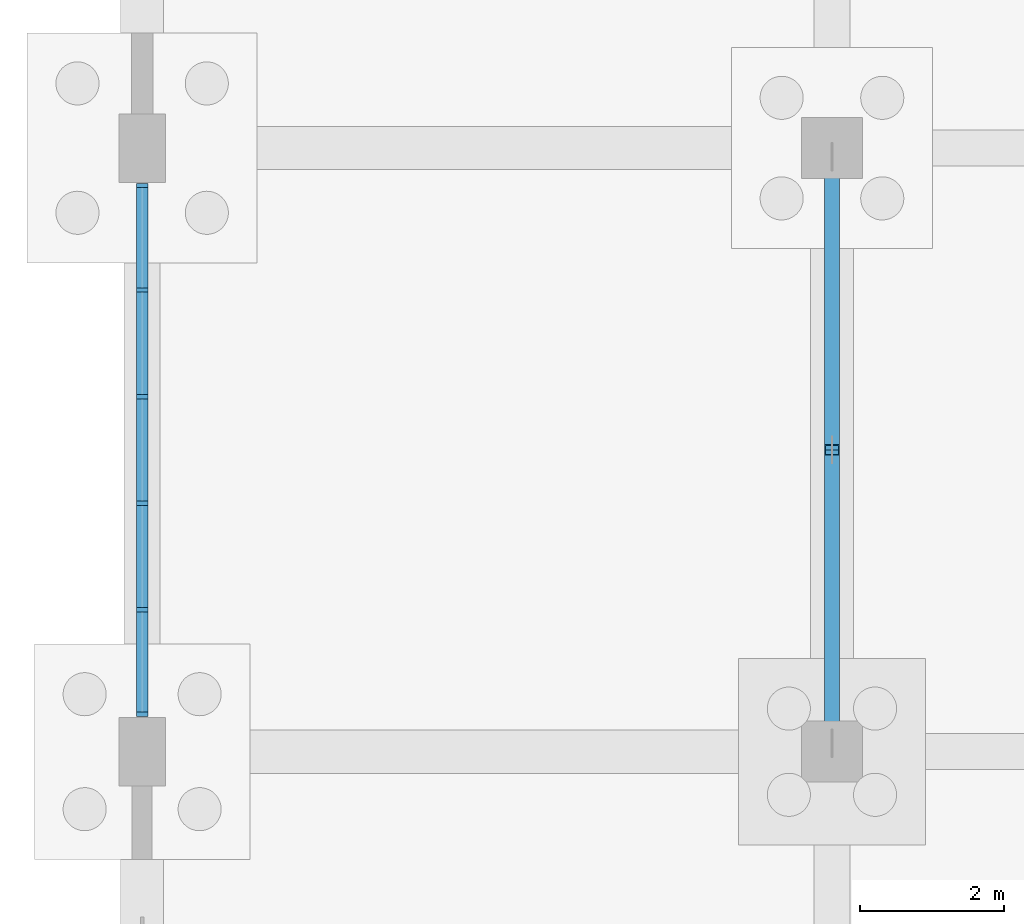
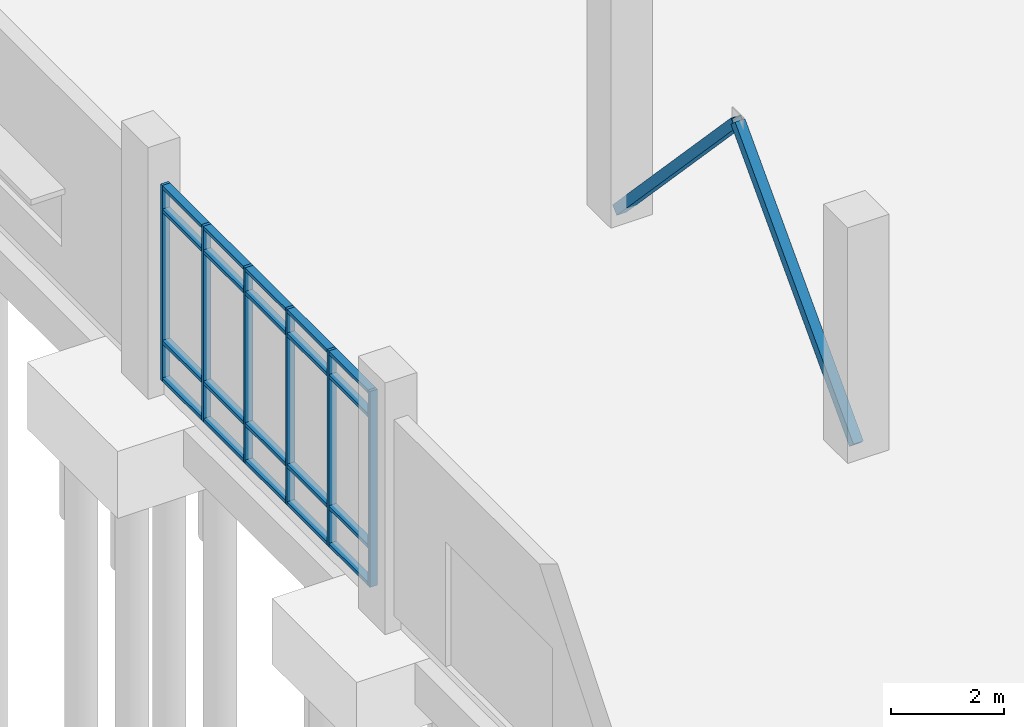
# One storey, part 40 of 136: 28 members, 1 element without a shape of its own.
"""IFC4 building model written with IfcOpenShell, lengths in metres."""

from ifc_helpers import new_model, si_unit, direction, frame, origin, origin_2d, place, context, subcontext, project, spatial, rectangle, hollow_rectangle, extrude, material, material_profile, profile_set, type_object, element, aggregate, save


model = new_model("IFC4")

# Units and contexts
model_context = context("Model", 3, precision=1e-05, world=origin(), true_north=direction((0.0, 1.0)))
body_context = subcontext(model_context, "Body", "Model", "MODEL_VIEW")
ifc_project = project(units=[si_unit("LENGTHUNIT", "METRE"), si_unit("AREAUNIT", "SQUARE_METRE"), si_unit("VOLUMEUNIT", "CUBIC_METRE"), si_unit("PLANEANGLEUNIT", "RADIAN"), si_unit("MASSUNIT", "GRAM", prefix="KILO")], contexts=[model_context])

# Site, building, storey
site_placement = place(None, origin())
site = spatial("IfcSite", under=ifc_project, at=site_placement, CompositionType="ELEMENT")
building_placement = place(site_placement, origin())
building = spatial("IfcBuilding", under=site, at=building_placement, Name="Oolite Switchyard Hospital", CompositionType="ELEMENT")
storey_placement = place(building_placement, origin())
storey = spatial("IfcBuildingStorey", under=building, at=storey_placement, Name="L00", CompositionType="ELEMENT", Elevation=0.0)

# Curtain wall, members
ifc_material_1 = material(Name="Thermally broken aluminum frame with laminated impact glazing", Category="aluminium")
curtain_wall_type = type_object("IfcCurtainWallType", Name="CW-UNIT-84X51", PredefinedType="USERDEFINED", material=ifc_material_1)
curtain_wall_placement = place(storey_placement, origin())
curtain_wall = element("IfcCurtainWall", 1, at=curtain_wall_placement, inside=storey, type_object=curtain_wall_type, Name="L00 Unitised Curtain Wall 57", ObjectType="UNITISED", PredefinedType="USERDEFINED")
ifc_material_2 = material(Name="Aluminium 6063-T6", Category="aluminium")
ifc_material_profile_1 = material_profile(ifc_material_2, rectangle(XDim=0.159912109375, YDim=0.06005859375, at=origin_2d()), Name="CWM60X160")
ifc_profile_set_1 = profile_set([ifc_material_profile_1], Name="Aluminium 6063-T6")
member_type_1 = type_object("IfcMemberType", Name="CW-MUL-180", PredefinedType="MULLION", material=ifc_profile_set_1)
member_1_placement = place(storey_placement, frame((0.0, 101.320068359375, 0.0), z_axis=(0.0, 0.0, 1.0), x_axis=(-1.0, 0.0, 0.0)))
member_1 = element("IfcMember", 2, at=member_1_placement, type_object=member_type_1, Name="CW-06 mullion 1", PredefinedType="MULLION", context=body_context, shape_type="SweptSolid", body=[
    extrude(rectangle(XDim=0.159912109375, YDim=0.06005859375, at=origin_2d()), origin(), (0.0, 0.0, 1.0), 4.239990234375),
])
member_2_placement = place(storey_placement, frame((0.0, 102.77392578125, 0.0), z_axis=(0.0, 0.0, 1.0), x_axis=(-1.0, 0.0, 0.0)))
member_2 = element("IfcMember", 3, at=member_2_placement, type_object=member_type_1, Name="CW-06 mullion 2", PredefinedType="MULLION", context=body_context, shape_type="SweptSolid", body=[
    extrude(rectangle(XDim=0.159912109375, YDim=0.06005859375, at=origin_2d()), origin(), (0.0, 0.0, 1.0), 4.239990234375),
])
member_3_placement = place(storey_placement, frame((0.0, 104.258056640625, 0.0), z_axis=(0.0, 0.0, 1.0), x_axis=(-1.0, 0.0, 0.0)))
member_3 = element("IfcMember", 4, at=member_3_placement, type_object=member_type_1, Name="CW-06 mullion 3", PredefinedType="MULLION", context=body_context, shape_type="SweptSolid", body=[
    extrude(rectangle(XDim=0.159912109375, YDim=0.06005859375, at=origin_2d()), origin(), (0.0, 0.0, 1.0), 4.239990234375),
])
member_4_placement = place(storey_placement, frame((0.0, 105.741943359375, 0.0), z_axis=(0.0, 0.0, 1.0), x_axis=(-1.0, 0.0, 0.0)))
member_4 = element("IfcMember", 5, at=member_4_placement, type_object=member_type_1, Name="CW-06 mullion 4", PredefinedType="MULLION", context=body_context, shape_type="SweptSolid", body=[
    extrude(rectangle(XDim=0.159912109375, YDim=0.06005859375, at=origin_2d()), origin(), (0.0, 0.0, 1.0), 4.239990234375),
])
member_5_placement = place(storey_placement, frame((0.0, 107.22607421875, 0.0), z_axis=(0.0, 0.0, 1.0), x_axis=(-1.0, 0.0, 0.0)))
member_5 = element("IfcMember", 6, at=member_5_placement, type_object=member_type_1, Name="CW-06 mullion 5", PredefinedType="MULLION", context=body_context, shape_type="SweptSolid", body=[
    extrude(rectangle(XDim=0.159912109375, YDim=0.06005859375, at=origin_2d()), origin(), (0.0, 0.0, 1.0), 4.239990234375),
])
member_6_placement = place(storey_placement, frame((0.0, 108.679931640625, 0.0), z_axis=(0.0, 0.0, 1.0), x_axis=(-1.0, 0.0, 0.0)))
member_6 = element("IfcMember", 7, at=member_6_placement, type_object=member_type_1, Name="CW-06 mullion 6", PredefinedType="MULLION", context=body_context, shape_type="SweptSolid", body=[
    extrude(rectangle(XDim=0.159912109375, YDim=0.06005859375, at=origin_2d()), origin(), (0.0, 0.0, 1.0), 4.239990234375),
])
ifc_material_profile_2 = material_profile(ifc_material_2, rectangle(XDim=0.159912109375, YDim=0.074951171875, at=origin_2d()), Name="CWT75X160")
ifc_profile_set_2 = profile_set([ifc_material_profile_2], Name="Aluminium 6063-T6")
member_type_2 = type_object("IfcMemberType", Name="CW-TRN-180", PredefinedType="USERDEFINED", material=ifc_profile_set_2)
member_7_placement = place(storey_placement, frame((0.0, 101.35009765625, 0.03759765625), z_axis=(0.0, 1.0, 0.0), x_axis=(-1.0, 0.0, 0.0)))
member_7 = element("IfcMember", 8, at=member_7_placement, type_object=member_type_2, Name="CW-06 transom 1.1", ObjectType="TRANSOM", PredefinedType="USERDEFINED", context=body_context, shape_type="SweptSolid", body=[
    extrude(rectangle(XDim=0.159912109375, YDim=0.074951171875, at=origin_2d()), origin(), (0.0, 0.0, 1.0), 1.393798828125),
])
member_8_placement = place(storey_placement, frame((0.0, 101.35009765625, 0.85009765625), z_axis=(0.0, 1.0, 0.0), x_axis=(-1.0, 0.0, 0.0)))
member_8 = element("IfcMember", 9, at=member_8_placement, type_object=member_type_2, Name="CW-06 transom 1.2", ObjectType="TRANSOM", PredefinedType="USERDEFINED", context=body_context, shape_type="SweptSolid", body=[
    extrude(rectangle(XDim=0.159912109375, YDim=0.074951171875, at=origin_2d()), origin(), (0.0, 0.0, 1.0), 1.393798828125),
])
member_9_placement = place(storey_placement, frame((0.0, 101.35009765625, 3.68994140625), z_axis=(0.0, 1.0, 0.0), x_axis=(-1.0, 0.0, 0.0)))
member_9 = element("IfcMember", 10, at=member_9_placement, type_object=member_type_2, Name="CW-06 transom 1.3", ObjectType="TRANSOM", PredefinedType="USERDEFINED", context=body_context, shape_type="SweptSolid", body=[
    extrude(rectangle(XDim=0.159912109375, YDim=0.074951171875, at=origin_2d()), origin(), (0.0, 0.0, 1.0), 1.393798828125),
])
member_10_placement = place(storey_placement, frame((0.0, 101.35009765625, 4.202392578125), z_axis=(0.0, 1.0, 0.0), x_axis=(-1.0, 0.0, 0.0)))
member_10 = element("IfcMember", 11, at=member_10_placement, type_object=member_type_2, Name="CW-06 transom 1.4", ObjectType="TRANSOM", PredefinedType="USERDEFINED", context=body_context, shape_type="SweptSolid", body=[
    extrude(rectangle(XDim=0.159912109375, YDim=0.074951171875, at=origin_2d()), origin(), (0.0, 0.0, 1.0), 1.393798828125),
])
member_11_placement = place(storey_placement, frame((0.0, 102.803955078125, 0.03759765625), z_axis=(0.0, 1.0, 0.0), x_axis=(-1.0, 0.0, 0.0)))
member_11 = element("IfcMember", 12, at=member_11_placement, type_object=member_type_2, Name="CW-06 transom 2.1", ObjectType="TRANSOM", PredefinedType="USERDEFINED", context=body_context, shape_type="SweptSolid", body=[
    extrude(rectangle(XDim=0.159912109375, YDim=0.074951171875, at=origin_2d()), origin(), (0.0, 0.0, 1.0), 1.424072265625),
])
member_12_placement = place(storey_placement, frame((0.0, 102.803955078125, 0.85009765625), z_axis=(0.0, 1.0, 0.0), x_axis=(-1.0, 0.0, 0.0)))
member_12 = element("IfcMember", 13, at=member_12_placement, type_object=member_type_2, Name="CW-06 transom 2.2", ObjectType="TRANSOM", PredefinedType="USERDEFINED", context=body_context, shape_type="SweptSolid", body=[
    extrude(rectangle(XDim=0.159912109375, YDim=0.074951171875, at=origin_2d()), origin(), (0.0, 0.0, 1.0), 1.424072265625),
])
member_13_placement = place(storey_placement, frame((0.0, 102.803955078125, 3.68994140625), z_axis=(0.0, 1.0, 0.0), x_axis=(-1.0, 0.0, 0.0)))
member_13 = element("IfcMember", 14, at=member_13_placement, type_object=member_type_2, Name="CW-06 transom 2.3", ObjectType="TRANSOM", PredefinedType="USERDEFINED", context=body_context, shape_type="SweptSolid", body=[
    extrude(rectangle(XDim=0.159912109375, YDim=0.074951171875, at=origin_2d()), origin(), (0.0, 0.0, 1.0), 1.424072265625),
])
member_14_placement = place(storey_placement, frame((0.0, 102.803955078125, 4.202392578125), z_axis=(0.0, 1.0, 0.0), x_axis=(-1.0, 0.0, 0.0)))
member_14 = element("IfcMember", 15, at=member_14_placement, type_object=member_type_2, Name="CW-06 transom 2.4", ObjectType="TRANSOM", PredefinedType="USERDEFINED", context=body_context, shape_type="SweptSolid", body=[
    extrude(rectangle(XDim=0.159912109375, YDim=0.074951171875, at=origin_2d()), origin(), (0.0, 0.0, 1.0), 1.424072265625),
])
member_15_placement = place(storey_placement, frame((0.0, 104.2880859375, 0.03759765625), z_axis=(0.0, 1.0, 0.0), x_axis=(-1.0, 0.0, 0.0)))
member_15 = element("IfcMember", 16, at=member_15_placement, type_object=member_type_2, Name="CW-06 transom 3.1", ObjectType="TRANSOM", PredefinedType="USERDEFINED", context=body_context, shape_type="SweptSolid", body=[
    extrude(rectangle(XDim=0.159912109375, YDim=0.074951171875, at=origin_2d()), origin(), (0.0, 0.0, 1.0), 1.423828125),
])
member_16_placement = place(storey_placement, frame((0.0, 104.2880859375, 0.85009765625), z_axis=(0.0, 1.0, 0.0), x_axis=(-1.0, 0.0, 0.0)))
member_16 = element("IfcMember", 17, at=member_16_placement, type_object=member_type_2, Name="CW-06 transom 3.2", ObjectType="TRANSOM", PredefinedType="USERDEFINED", context=body_context, shape_type="SweptSolid", body=[
    extrude(rectangle(XDim=0.159912109375, YDim=0.074951171875, at=origin_2d()), origin(), (0.0, 0.0, 1.0), 1.423828125),
])
member_17_placement = place(storey_placement, frame((0.0, 104.2880859375, 3.68994140625), z_axis=(0.0, 1.0, 0.0), x_axis=(-1.0, 0.0, 0.0)))
member_17 = element("IfcMember", 18, at=member_17_placement, type_object=member_type_2, Name="CW-06 transom 3.3", ObjectType="TRANSOM", PredefinedType="USERDEFINED", context=body_context, shape_type="SweptSolid", body=[
    extrude(rectangle(XDim=0.159912109375, YDim=0.074951171875, at=origin_2d()), origin(), (0.0, 0.0, 1.0), 1.423828125),
])
member_18_placement = place(storey_placement, frame((0.0, 104.2880859375, 4.202392578125), z_axis=(0.0, 1.0, 0.0), x_axis=(-1.0, 0.0, 0.0)))
member_18 = element("IfcMember", 19, at=member_18_placement, type_object=member_type_2, Name="CW-06 transom 3.4", ObjectType="TRANSOM", PredefinedType="USERDEFINED", context=body_context, shape_type="SweptSolid", body=[
    extrude(rectangle(XDim=0.159912109375, YDim=0.074951171875, at=origin_2d()), origin(), (0.0, 0.0, 1.0), 1.423828125),
])
member_19_placement = place(storey_placement, frame((0.0, 105.77197265625, 0.03759765625), z_axis=(0.0, 1.0, 0.0), x_axis=(-1.0, 0.0, 0.0)))
member_19 = element("IfcMember", 20, at=member_19_placement, type_object=member_type_2, Name="CW-06 transom 4.1", ObjectType="TRANSOM", PredefinedType="USERDEFINED", context=body_context, shape_type="SweptSolid", body=[
    extrude(rectangle(XDim=0.159912109375, YDim=0.074951171875, at=origin_2d()), origin(), (0.0, 0.0, 1.0), 1.424072265625),
])
member_20_placement = place(storey_placement, frame((0.0, 105.77197265625, 0.85009765625), z_axis=(0.0, 1.0, 0.0), x_axis=(-1.0, 0.0, 0.0)))
member_20 = element("IfcMember", 21, at=member_20_placement, type_object=member_type_2, Name="CW-06 transom 4.2", ObjectType="TRANSOM", PredefinedType="USERDEFINED", context=body_context, shape_type="SweptSolid", body=[
    extrude(rectangle(XDim=0.159912109375, YDim=0.074951171875, at=origin_2d()), origin(), (0.0, 0.0, 1.0), 1.424072265625),
])
member_21_placement = place(storey_placement, frame((0.0, 105.77197265625, 3.68994140625), z_axis=(0.0, 1.0, 0.0), x_axis=(-1.0, 0.0, 0.0)))
member_21 = element("IfcMember", 22, at=member_21_placement, type_object=member_type_2, Name="CW-06 transom 4.3", ObjectType="TRANSOM", PredefinedType="USERDEFINED", context=body_context, shape_type="SweptSolid", body=[
    extrude(rectangle(XDim=0.159912109375, YDim=0.074951171875, at=origin_2d()), origin(), (0.0, 0.0, 1.0), 1.424072265625),
])
member_22_placement = place(storey_placement, frame((0.0, 105.77197265625, 4.202392578125), z_axis=(0.0, 1.0, 0.0), x_axis=(-1.0, 0.0, 0.0)))
member_22 = element("IfcMember", 23, at=member_22_placement, type_object=member_type_2, Name="CW-06 transom 4.4", ObjectType="TRANSOM", PredefinedType="USERDEFINED", context=body_context, shape_type="SweptSolid", body=[
    extrude(rectangle(XDim=0.159912109375, YDim=0.074951171875, at=origin_2d()), origin(), (0.0, 0.0, 1.0), 1.424072265625),
])
member_23_placement = place(storey_placement, frame((0.0, 107.256103515625, 0.03759765625), z_axis=(0.0, 1.0, 0.0), x_axis=(-1.0, 0.0, 0.0)))
member_23 = element("IfcMember", 24, at=member_23_placement, type_object=member_type_2, Name="CW-06 transom 5.1", ObjectType="TRANSOM", PredefinedType="USERDEFINED", context=body_context, shape_type="SweptSolid", body=[
    extrude(rectangle(XDim=0.159912109375, YDim=0.074951171875, at=origin_2d()), origin(), (0.0, 0.0, 1.0), 1.393798828125),
])
member_24_placement = place(storey_placement, frame((0.0, 107.256103515625, 0.85009765625), z_axis=(0.0, 1.0, 0.0), x_axis=(-1.0, 0.0, 0.0)))
member_24 = element("IfcMember", 25, at=member_24_placement, type_object=member_type_2, Name="CW-06 transom 5.2", ObjectType="TRANSOM", PredefinedType="USERDEFINED", context=body_context, shape_type="SweptSolid", body=[
    extrude(rectangle(XDim=0.159912109375, YDim=0.074951171875, at=origin_2d()), origin(), (0.0, 0.0, 1.0), 1.393798828125),
])
member_25_placement = place(storey_placement, frame((0.0, 107.256103515625, 3.68994140625), z_axis=(0.0, 1.0, 0.0), x_axis=(-1.0, 0.0, 0.0)))
member_25 = element("IfcMember", 26, at=member_25_placement, type_object=member_type_2, Name="CW-06 transom 5.3", ObjectType="TRANSOM", PredefinedType="USERDEFINED", context=body_context, shape_type="SweptSolid", body=[
    extrude(rectangle(XDim=0.159912109375, YDim=0.074951171875, at=origin_2d()), origin(), (0.0, 0.0, 1.0), 1.393798828125),
])
member_26_placement = place(storey_placement, frame((0.0, 107.256103515625, 4.202392578125), z_axis=(0.0, 1.0, 0.0), x_axis=(-1.0, 0.0, 0.0)))
member_26 = element("IfcMember", 27, at=member_26_placement, type_object=member_type_2, Name="CW-06 transom 5.4", ObjectType="TRANSOM", PredefinedType="USERDEFINED", context=body_context, shape_type="SweptSolid", body=[
    extrude(rectangle(XDim=0.159912109375, YDim=0.074951171875, at=origin_2d()), origin(), (0.0, 0.0, 1.0), 1.393798828125),
])
aggregate(curtain_wall, [member_1, member_2, member_3, member_4, member_5, member_6, member_7, member_8, member_9, member_10, member_11, member_12, member_13, member_14, member_15, member_16, member_17, member_18, member_19, member_20, member_21, member_22, member_23, member_24, member_25, member_26])

# Members
ifc_material_3 = material(Name="Steel ASTM A500 Grade C", Category="steel")
ifc_material_profile_3 = material_profile(ifc_material_3, hollow_rectangle(XDim=0.202880859375, YDim=0.202880859375, WallThickness=0.012939453125, at=origin_2d()), Name="HSS203X203X13")
ifc_profile_set_3 = profile_set([ifc_material_profile_3], Name="Steel ASTM A500 Grade C")
member_type_3 = type_object("IfcMemberType", Name="MEM-BR-HSS203", PredefinedType="BRACE", material=ifc_profile_set_3)
for number, where, z_axis, x_axis, name in (
    (28, (9.60009765625, 100.800048828125, 0.02001953125), (0.0, 0.688018602336, 0.725693050014), (-1.0, 0.0, 0.0), "L00 Chevron Brace 81"),
    (29, (9.60009765625, 109.199951171875, 0.02001953125), (0.0, -0.688018602336, 0.725693050014), (1.0, 0.0, 0.0), "L00 Chevron Brace 82"),
):
    element("IfcMember", number, at=place(storey_placement, frame(where, z_axis=z_axis, x_axis=x_axis)), inside=storey, type_object=member_type_3, Name=name, PredefinedType="BRACE", context=body_context, shape_type="SweptSolid", body=[
        extrude(hollow_rectangle(XDim=0.202880859375, YDim=0.202880859375, WallThickness=0.012939453125, at=origin_2d()), origin(), (0.0, 0.0, 1.0), 6.1044921875),
    ])

save(model, "model.ifc")
